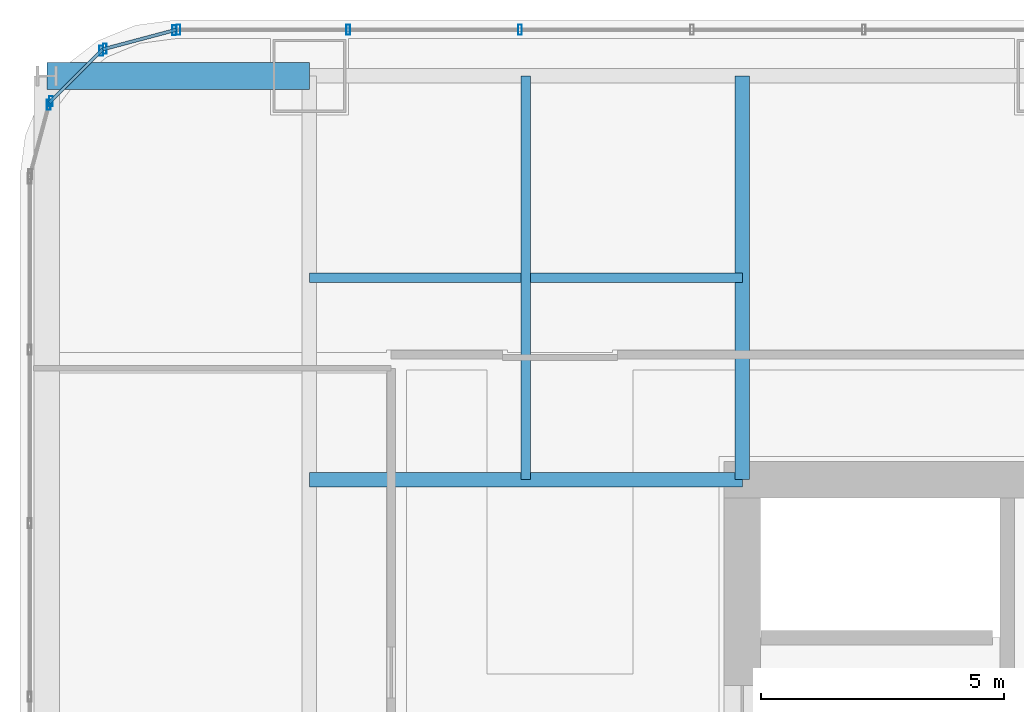
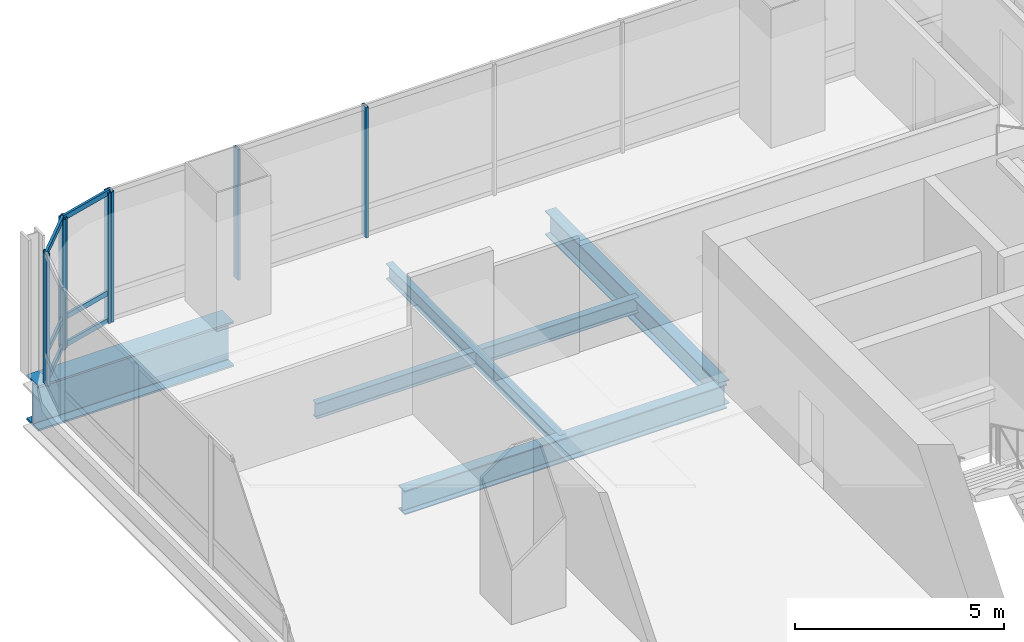
# One storey, part 19 of 36: 14 members, 5 beams, 4 elements without a shape of their own.
"""IFC4 building model written with IfcOpenShell, lengths in metres."""

from ifc_helpers import new_model, si_unit, direction, frame, origin, origin_2d, place, context, subcontext, project, spatial, hollow_rectangle, i_section, extrude, material, material_profile, profile_set, type_object, element, aggregate, save


model = new_model("IFC4")

# Units and contexts
model_context = context("Model", 3, precision=1e-05, world=origin(), true_north=direction((0.0, 1.0)))
body_context = subcontext(model_context, "Body", "Model", "MODEL_VIEW")
ifc_project = project(units=[si_unit("LENGTHUNIT", "METRE"), si_unit("AREAUNIT", "SQUARE_METRE"), si_unit("VOLUMEUNIT", "CUBIC_METRE"), si_unit("PLANEANGLEUNIT", "RADIAN"), si_unit("MASSUNIT", "GRAM", prefix="KILO")], contexts=[model_context])

# Site, building, storey
site_placement = place(None, origin())
site = spatial("IfcSite", under=ifc_project, at=site_placement, CompositionType="ELEMENT")
building_placement = place(site_placement, origin())
building = spatial("IfcBuilding", under=site, at=building_placement, Name="Punatoya Terracotta Tower", CompositionType="ELEMENT")
storey_placement = place(building_placement, frame((0.0, 0.0, 32.25)))
storey = spatial("IfcBuildingStorey", under=building, at=storey_placement, Name="L06", CompositionType="ELEMENT", Elevation=32.25)

# Beams
ifc_material_1 = material(Name="Steel S355", Category="steel")
ifc_material_profile_1 = material_profile(ifc_material_1, i_section(OverallWidth=0.300048828125, OverallDepth=0.699951171875, WebThickness=0.01708984375, FlangeThickness=0.031982421875, FilletRadius=0.01806640625, at=origin_2d()))
ifc_profile_set_1 = profile_set([ifc_material_profile_1], Name="Steel S355")
beam_type_1 = type_object("IfcBeamType", Name="BM-PRI-700", PredefinedType="BEAM", material=ifc_profile_set_1)
beam_1_placement = place(storey_placement, frame((-19.10009765625, 9.199951171875, -0.590087890625), z_axis=(1.0, 0.0, 0.0), x_axis=(0.0, 1.0, 0.0)))
element("IfcBeam", 1, at=beam_1_placement, inside=storey, type_object=beam_type_1, Name="BM-L06-PR-WN", PredefinedType="BEAM", context=body_context, shape_type="SweptSolid", body=[
    extrude(i_section(OverallWidth=0.300048828125, OverallDepth=0.699951171875, WebThickness=0.01708984375, FlangeThickness=0.031982421875, FilletRadius=0.01806640625, at=origin_2d()), origin(), (0.0, 0.0, 1.0), 8.900146484375),
])
beam_2_placement = place(storey_placement, frame((-10.199951171875, 9.199951171875, -0.590087890625), z_axis=(0.0, 1.0, 0.0), x_axis=(-1.0, 0.0, 0.0)))
element("IfcBeam", 2, at=beam_2_placement, inside=storey, type_object=beam_type_1, Name="BM-L06-PR-N1", PredefinedType="BEAM", context=body_context, shape_type="SweptSolid", body=[
    extrude(i_section(OverallWidth=0.300048828125, OverallDepth=0.699951171875, WebThickness=0.01708984375, FlangeThickness=0.031982421875, FilletRadius=0.01806640625, at=origin_2d()), origin(), (0.0, 0.0, 1.0), 8.300048828125),
])
ifc_material_profile_2 = material_profile(ifc_material_1, i_section(OverallWidth=0.18994140625, OverallDepth=0.449951171875, WebThickness=0.009521484375, FlangeThickness=0.0146484375, FilletRadius=0.01806640625, at=origin_2d()))
ifc_profile_set_2 = profile_set([ifc_material_profile_2], Name="Steel S355")
beam_type_2 = type_object("IfcBeamType", Name="BM-SEC-450", PredefinedType="JOIST", material=ifc_profile_set_2)
beam_3_placement = place(storey_placement, frame((-19.10009765625, 13.35009765625, -0.465087890625), z_axis=(1.0, 0.0, 0.0), x_axis=(0.0, 1.0, 0.0)))
element("IfcBeam", 3, at=beam_3_placement, inside=storey, type_object=beam_type_2, Name="BM-L06-SJN-1", PredefinedType="JOIST", context=body_context, shape_type="SweptSolid", body=[
    extrude(i_section(OverallWidth=0.18994140625, OverallDepth=0.449951171875, WebThickness=0.009521484375, FlangeThickness=0.0146484375, FilletRadius=0.01806640625, at=origin_2d()), origin(), (0.0, 0.0, 1.0), 8.900146484375),
])
beam_4_placement = place(storey_placement, frame((-14.64990234375, 9.199951171875, -0.465087890625), z_axis=(0.0, 1.0, 0.0), x_axis=(-1.0, 0.0, 0.0)))
element("IfcBeam", 4, at=beam_4_placement, inside=storey, type_object=beam_type_2, Name="BM-L06-SJW-2", PredefinedType="JOIST", context=body_context, shape_type="SweptSolid", body=[
    extrude(i_section(OverallWidth=0.18994140625, OverallDepth=0.449951171875, WebThickness=0.009521484375, FlangeThickness=0.0146484375, FilletRadius=0.01806640625, at=origin_2d()), origin(), (0.0, 0.0, 1.0), 8.300048828125),
])
ifc_material_2 = material(Name="Steel S460", Category="steel")
ifc_material_profile_3 = material_profile(ifc_material_2, i_section(OverallWidth=0.56005859375, OverallDepth=1.320068359375, WebThickness=0.035888671875, FlangeThickness=0.054931640625, FilletRadius=0.01806640625, at=origin_2d()))
ifc_profile_set_3 = profile_set([ifc_material_profile_3], Name="Steel S460")
beam_type_3 = type_object("IfcBeamType", Name="BM-TG-BLK", PredefinedType="BEAM", material=ifc_profile_set_3)
beam_5_placement = place(storey_placement, frame((-24.5, 17.5, -0.89990234375), z_axis=(1.0, 0.0, 0.0), x_axis=(0.0, 1.0, 0.0)))
element("IfcBeam", 5, at=beam_5_placement, inside=storey, type_object=beam_type_3, Name="BM-L06-CANT-W4", PredefinedType="BEAM", context=body_context, shape_type="SweptSolid", body=[
    extrude(i_section(OverallWidth=0.56005859375, OverallDepth=1.320068359375, WebThickness=0.035888671875, FlangeThickness=0.054931640625, FilletRadius=0.01806640625, at=origin_2d()), origin(), (0.0, 0.0, 1.0), 5.39990234375),
])

# Curtain wall, members
ifc_material_3 = material(Name="Aluminium 6063-T6 + Double Low-E Glass", Category="aluminium")
curtain_wall_type = type_object("IfcCurtainWallType", Name="CW-M1", PredefinedType="NOTDEFINED", material=ifc_material_3)
curtain_wall_1_placement = place(storey_placement, origin())
curtain_wall_1 = element("IfcCurtainWall", 6, at=curtain_wall_1_placement, inside=storey, type_object=curtain_wall_type, Name="L06 Curtain Wall CW-L06-N09-1", PredefinedType="NOTDEFINED")
ifc_material_4 = material(Name="Aluminium 6063-T6", Category="aluminium")
ifc_material_profile_4 = material_profile(ifc_material_4, hollow_rectangle(XDim=0.074951171875, YDim=0.2099609375, WallThickness=0.00439453125, at=origin_2d()))
ifc_profile_set_4 = profile_set([ifc_material_profile_4], Name="Aluminium 6063-T6")
member_type_1 = type_object("IfcMemberType", Name="CW-MUL-M1", PredefinedType="MULLION", material=ifc_profile_set_4)
member_1_placement = place(storey_placement, frame((-14.768798828125, 18.449951171875, 0.0), z_axis=(0.0, 0.0, 1.0), x_axis=(1.0, 0.0, 0.0)))
member_1 = element("IfcMember", 7, at=member_1_placement, type_object=member_type_1, Name="CW-L06-N09-1 Mullion 09", PredefinedType="MULLION", context=body_context, shape_type="SweptSolid", body=[
    extrude(hollow_rectangle(XDim=0.074951171875, YDim=0.2099609375, WallThickness=0.00439453125, at=origin_2d()), origin(), (0.0, 0.0, 1.0), 3.81005859375),
])
member_2_placement = place(storey_placement, frame((-18.302978515625, 18.449951171875, 0.0), z_axis=(0.0, 0.0, 1.0), x_axis=(1.0, 0.0, 0.0)))
member_2 = element("IfcMember", 8, at=member_2_placement, type_object=member_type_1, Name="CW-L06-N09-1 Mullion 10", PredefinedType="MULLION", context=body_context, shape_type="SweptSolid", body=[
    extrude(hollow_rectangle(XDim=0.074951171875, YDim=0.2099609375, WallThickness=0.00439453125, at=origin_2d()), origin(), (0.0, 0.0, 1.0), 3.81005859375),
])
member_3_placement = place(storey_placement, frame((-21.7919921875, 18.449951171875, 0.0), z_axis=(0.0, 0.0, 1.0), x_axis=(1.0, 0.0, 0.0)))
member_3 = element("IfcMember", 9, at=member_3_placement, type_object=member_type_1, Name="CW-L06-N09-1 Mullion 11", PredefinedType="MULLION", context=body_context, shape_type="SweptSolid", body=[
    extrude(hollow_rectangle(XDim=0.074951171875, YDim=0.2099609375, WallThickness=0.00439453125, at=origin_2d()), origin(), (0.0, 0.0, 1.0), 3.81005859375),
])
aggregate(curtain_wall_1, [member_1, member_2, member_3])

curtain_wall_2_placement = place(storey_placement, origin())
curtain_wall_2 = element("IfcCurtainWall", 10, at=curtain_wall_2_placement, inside=storey, type_object=curtain_wall_type, Name="L06 Curtain Wall CW-L06-CRN10", PredefinedType="NOTDEFINED")
member_4_placement = place(storey_placement, frame((-21.88037109375, 18.4384765625, 0.0), z_axis=(0.0, 0.0, 1.0), x_axis=(1.0, 0.0, 0.0)))
member_4 = element("IfcMember", 11, at=member_4_placement, type_object=member_type_1, Name="CW-L06-CRN10 Mullion 00", PredefinedType="MULLION", context=body_context, shape_type="SweptSolid", body=[
    extrude(hollow_rectangle(XDim=0.074951171875, YDim=0.2099609375, WallThickness=0.00439453125, at=origin_2d()), origin(), (0.0, 0.0, 1.0), 3.81005859375),
])
member_5_placement = place(storey_placement, frame((-23.3056640625, 18.05810546875, 0.0), z_axis=(0.0, 0.0, 1.0), x_axis=(1.0, 0.0, 0.0)))
member_5 = element("IfcMember", 12, at=member_5_placement, type_object=member_type_1, Name="CW-L06-CRN10 Mullion 01", PredefinedType="MULLION", context=body_context, shape_type="SweptSolid", body=[
    extrude(hollow_rectangle(XDim=0.074951171875, YDim=0.2099609375, WallThickness=0.00439453125, at=origin_2d()), origin(), (0.0, 0.0, 1.0), 3.81005859375),
])

curtain_wall_3_placement = place(storey_placement, origin())
curtain_wall_3 = element("IfcCurtainWall", 13, at=curtain_wall_3_placement, inside=storey, type_object=curtain_wall_type, Name="L06 Curtain Wall CW-L06-CRN11", PredefinedType="NOTDEFINED")
member_6_placement = place(storey_placement, frame((-23.380859375, 18.014892578125, 0.0), z_axis=(0.0, 0.0, 1.0), x_axis=(1.0, 0.0, 0.0)))
member_6 = element("IfcMember", 14, at=member_6_placement, type_object=member_type_1, Name="CW-L06-CRN11 Mullion 00", PredefinedType="MULLION", context=body_context, shape_type="SweptSolid", body=[
    extrude(hollow_rectangle(XDim=0.074951171875, YDim=0.2099609375, WallThickness=0.00439453125, at=origin_2d()), origin(), (0.0, 0.0, 1.0), 3.81005859375),
])
member_7_placement = place(storey_placement, frame((-24.414794921875, 16.98095703125, 0.0), z_axis=(0.0, 0.0, 1.0), x_axis=(1.0, 0.0, 0.0)))
member_7 = element("IfcMember", 15, at=member_7_placement, type_object=member_type_1, Name="CW-L06-CRN11 Mullion 01", PredefinedType="MULLION", context=body_context, shape_type="SweptSolid", body=[
    extrude(hollow_rectangle(XDim=0.074951171875, YDim=0.2099609375, WallThickness=0.00439453125, at=origin_2d()), origin(), (0.0, 0.0, 1.0), 3.81005859375),
])

# Curtain wall, member
curtain_wall_4_placement = place(storey_placement, origin())
curtain_wall_4 = element("IfcCurtainWall", 16, at=curtain_wall_4_placement, inside=storey, type_object=curtain_wall_type, Name="L06 Curtain Wall CW-L06-CRN12", PredefinedType="NOTDEFINED")
member_8_placement = place(storey_placement, frame((-24.458251953125, 16.905517578125, 0.0), z_axis=(0.0, 0.0, 1.0), x_axis=(1.0, 0.0, 0.0)))
member_8 = element("IfcMember", 17, at=member_8_placement, type_object=member_type_1, Name="CW-L06-CRN12 Mullion 00", PredefinedType="MULLION", context=body_context, shape_type="SweptSolid", body=[
    extrude(hollow_rectangle(XDim=0.074951171875, YDim=0.2099609375, WallThickness=0.00439453125, at=origin_2d()), origin(), (0.0, 0.0, 1.0), 3.81005859375),
])
aggregate(curtain_wall_4, [member_8])

# Member
ifc_material_profile_5 = material_profile(ifc_material_4, hollow_rectangle(XDim=0.068115234375, YDim=0.14990234375, WallThickness=0.00390625, at=origin_2d()))
ifc_profile_set_5 = profile_set([ifc_material_profile_5], Name="Aluminium 6063-T6")
member_type_2 = type_object("IfcMemberType", Name="CW-TRN-TYP", PredefinedType="USERDEFINED", material=ifc_profile_set_5)
member_9_placement = place(storey_placement, frame((-21.8369140625, 18.449951171875, 0.0400390625), z_axis=(-0.966224582397, -0.257701486942, 0.0), x_axis=(0.257701486942, -0.966224582397, 0.0)))
member_9 = element("IfcMember", 18, at=member_9_placement, type_object=member_type_2, Name="CW-L06-CRN10 Transom 1", ObjectType="TRANSOM", PredefinedType="USERDEFINED", context=body_context, shape_type="SweptSolid", body=[
    extrude(hollow_rectangle(XDim=0.068115234375, YDim=0.14990234375, WallThickness=0.00390625, at=origin_2d()), origin(), (0.0, 0.0, 1.0), 1.565185546875),
])

member_10_placement = place(storey_placement, frame((-21.8369140625, 18.449951171875, 0.85009765625), z_axis=(-0.966224582397, -0.257701486942, 0.0), x_axis=(0.257701486942, -0.966224582397, 0.0)))
member_10 = element("IfcMember", 19, at=member_10_placement, type_object=member_type_2, Name="CW-L06-CRN10 Transom 2", ObjectType="TRANSOM", PredefinedType="USERDEFINED", context=body_context, shape_type="SweptSolid", body=[
    extrude(hollow_rectangle(XDim=0.068115234375, YDim=0.14990234375, WallThickness=0.00390625, at=origin_2d()), origin(), (0.0, 0.0, 1.0), 1.565185546875),
])

member_11_placement = place(storey_placement, frame((-21.8369140625, 18.449951171875, 3.77001953125), z_axis=(-0.966224582397, -0.257701486942, 0.0), x_axis=(0.257701486942, -0.966224582397, 0.0)))
member_11 = element("IfcMember", 20, at=member_11_placement, type_object=member_type_2, Name="CW-L06-CRN10 Transom 3", ObjectType="TRANSOM", PredefinedType="USERDEFINED", context=body_context, shape_type="SweptSolid", body=[
    extrude(hollow_rectangle(XDim=0.068115234375, YDim=0.14990234375, WallThickness=0.00390625, at=origin_2d()), origin(), (0.0, 0.0, 1.0), 1.565185546875),
])

aggregate(curtain_wall_2, [member_4, member_5, member_9, member_10, member_11])

member_12_placement = place(storey_placement, frame((-23.34912109375, 18.046630859375, 0.0400390625), z_axis=(-0.707106781187, -0.707106781187, 0.0), x_axis=(0.707106781187, -0.707106781187, 0.0)))
member_12 = element("IfcMember", 21, at=member_12_placement, type_object=member_type_2, Name="CW-L06-CRN11 Transom 1", ObjectType="TRANSOM", PredefinedType="USERDEFINED", context=body_context, shape_type="SweptSolid", body=[
    extrude(hollow_rectangle(XDim=0.068115234375, YDim=0.14990234375, WallThickness=0.00390625, at=origin_2d()), origin(), (0.0, 0.0, 1.0), 1.552001953125),
])

member_13_placement = place(storey_placement, frame((-23.34912109375, 18.046630859375, 0.85009765625), z_axis=(-0.707106781187, -0.707106781187, 0.0), x_axis=(0.707106781187, -0.707106781187, 0.0)))
member_13 = element("IfcMember", 22, at=member_13_placement, type_object=member_type_2, Name="CW-L06-CRN11 Transom 2", ObjectType="TRANSOM", PredefinedType="USERDEFINED", context=body_context, shape_type="SweptSolid", body=[
    extrude(hollow_rectangle(XDim=0.068115234375, YDim=0.14990234375, WallThickness=0.00390625, at=origin_2d()), origin(), (0.0, 0.0, 1.0), 1.552001953125),
])

member_14_placement = place(storey_placement, frame((-23.34912109375, 18.046630859375, 3.77001953125), z_axis=(-0.707106781187, -0.707106781187, 0.0), x_axis=(0.707106781187, -0.707106781187, 0.0)))
member_14 = element("IfcMember", 23, at=member_14_placement, type_object=member_type_2, Name="CW-L06-CRN11 Transom 3", ObjectType="TRANSOM", PredefinedType="USERDEFINED", context=body_context, shape_type="SweptSolid", body=[
    extrude(hollow_rectangle(XDim=0.068115234375, YDim=0.14990234375, WallThickness=0.00390625, at=origin_2d()), origin(), (0.0, 0.0, 1.0), 1.552001953125),
])

aggregate(curtain_wall_3, [member_6, member_7, member_12, member_13, member_14])

save(model, "model.ifc")
